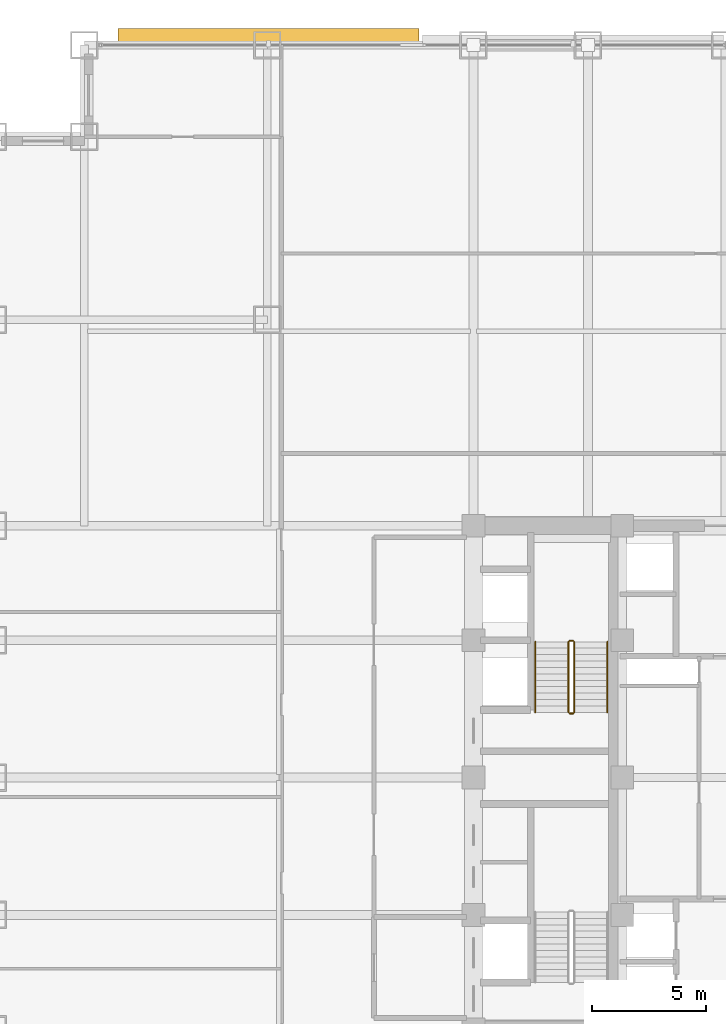
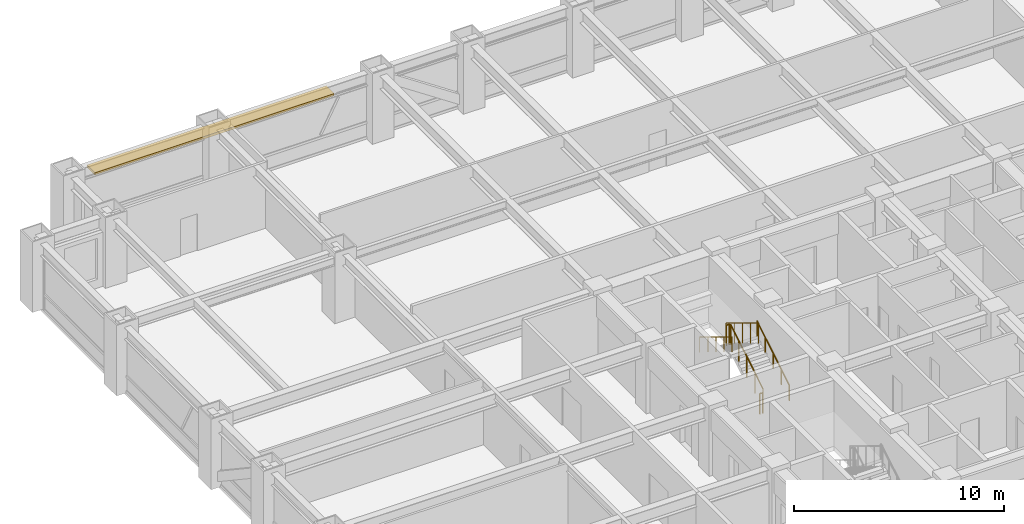
# One storey, part 31 of 32: 6 railings, 1 shading device.
"""IFC4 building model written with IfcOpenShell, lengths in metres."""

import ifcopenshell
import ifcopenshell.guid

model = None  # the IFC model being written
_history = None  # IfcOwnerHistory: only IFC2X3 demands one
_inside = {}  # id of a spatial element -> (the spatial element, [elements in it])
_under = {}  # id of a project, library or spatial element -> (it, [spatial elements below it])
_declared = {}  # id of a project -> (the project, [libraries it declares])
_typed = {}  # id of a type object -> (the type object, [elements of that type])
_made_of = {}  # id of a material, layer set ... -> (it, [elements and type objects made of it])


def new_model(schema):
    """Start an empty IFC model of exactly this schema.

    Asked for "IFC4X3", IfcOpenShell would pick the latest addendum, in which some entities
    have other attributes; the version numbers below select the first issue.
    IFC2X3 requires an IfcOwnerHistory on every rooted entity: one is made here for all.
    """
    global model, _history
    if schema == "IFC4X3":
        model = ifcopenshell.file(schema_version=(4, 3, 0, 0))
    else:
        model = ifcopenshell.file(schema=schema)
    _inside.clear()
    _under.clear()
    _declared.clear()
    _typed.clear()
    _made_of.clear()
    _history = None
    if model.schema == "IFC2X3":
        org = make("IfcOrganization", Name="unknown")
        user = make(
            "IfcPersonAndOrganization",
            ThePerson=make("IfcPerson", FamilyName="unknown"),
            TheOrganization=org,
        )
        app = make(
            "IfcApplication",
            ApplicationDeveloper=org,
            Version="unknown",
            ApplicationFullName="unknown",
            ApplicationIdentifier="unknown",
        )
        _history = make(
            "IfcOwnerHistory",
            OwningUser=user,
            OwningApplication=app,
            ChangeAction="ADDED",
            CreationDate=0,
        )
    return model


def make(cls, **values):
    """One entity of the class cls with the attributes given. An attribute that is None is left unset."""
    return model.create_entity(
        cls, **{name: value for name, value in values.items() if value is not None}
    )


def rooted(cls, **values):
    """An entity with a GlobalId (a new one), such as an element, a storey or a relation."""
    return make(cls, GlobalId=ifcopenshell.guid.new(), OwnerHistory=_history, **values)


def si_unit(unit_type, name, prefix=None):
    """IfcSIUnit, for example si_unit("LENGTHUNIT", "METRE", prefix="MILLI")."""
    return make("IfcSIUnit", UnitType=unit_type, Prefix=prefix, Name=name)


def assignment(units):
    """IfcUnitAssignment: the units of a project."""
    return None if units is None else make("IfcUnitAssignment", Units=units)


def point(xyz):
    """IfcCartesianPoint."""
    return None if xyz is None else make("IfcCartesianPoint", Coordinates=xyz)


def direction(xyz):
    """IfcDirection."""
    return None if xyz is None else make("IfcDirection", DirectionRatios=xyz)


def frame(location, z_axis=None, x_axis=None):
    """IfcAxis2Placement3D, a coordinate frame: its origin and axes. An axis left out is left unset."""
    return make(
        "IfcAxis2Placement3D",
        Location=point(location),
        Axis=direction(z_axis),
        RefDirection=direction(x_axis),
    )


def frame_2d(location, x_axis=None):
    """IfcAxis2Placement2D, a coordinate frame in the plane: its origin and x axis."""
    return make(
        "IfcAxis2Placement2D", Location=point(location), RefDirection=direction(x_axis)
    )


def origin():
    """The frame at (0, 0, 0) with its axes left unset."""
    return frame((0.0, 0.0, 0.0))


def origin_2d():
    """The frame at (0, 0) in the plane with its x axis left unset."""
    return frame_2d((0.0, 0.0))


def place(relative_to, where):
    """IfcLocalPlacement: puts the frame where relative to a parent placement (None: the world)."""
    return make(
        "IfcLocalPlacement", PlacementRelTo=relative_to, RelativePlacement=where
    )


def context(
    kind, dimensions, precision=None, world=None, true_north=None, identifier=None
):
    """IfcGeometricRepresentationContext, for example the 3D "Model" context."""
    return make(
        "IfcGeometricRepresentationContext",
        ContextIdentifier=identifier,
        ContextType=kind,
        CoordinateSpaceDimension=dimensions,
        Precision=precision,
        WorldCoordinateSystem=world,
        TrueNorth=true_north,
    )


def subcontext(parent, identifier, kind, view, scale=None):
    """IfcGeometricRepresentationSubContext, for example "Body" below "Model"."""
    return make(
        "IfcGeometricRepresentationSubContext",
        ContextIdentifier=identifier,
        ContextType=kind,
        ParentContext=parent,
        TargetScale=scale,
        TargetView=view,
    )


def project(units=None, contexts=None):
    """IfcProject with its units and contexts."""
    return rooted(
        "IfcProject",
        Name="project",
        RepresentationContexts=contexts,
        UnitsInContext=assignment(units),
    )


def spatial(cls, under=None, at=None, **own):
    """A site, building, storey or space (cls), placed at a placement, below another one or the project."""
    s = rooted(cls, ObjectPlacement=at, **own)
    if under is not None:
        _under.setdefault(under.id(), (under, []))[1].append(s)
    return s


def profile(cls, at=None, kind="AREA", **sizes):
    """A parametric profile (cls). Its sizes go by their IFC names, for example OverallWidth=200.0."""
    return make(cls, ProfileType=kind, Position=at, **sizes)


def rectangle(**sizes):
    """IfcRectangleProfileDef."""
    return profile("IfcRectangleProfileDef", **sizes)


def circle(**sizes):
    """IfcCircleProfileDef."""
    return profile("IfcCircleProfileDef", **sizes)


def extrude(swept, where, along, depth):
    """IfcExtrudedAreaSolid: the profile swept, set in the frame where, extruded along a direction by depth."""
    return make(
        "IfcExtrudedAreaSolid",
        SweptArea=swept,
        Position=where,
        ExtrudedDirection=direction(along),
        Depth=depth,
    )


def shape(context_of_items, identifier, shape_type, items):
    """IfcShapeRepresentation: the items that make up one representation, for example the "Body"."""
    return make(
        "IfcShapeRepresentation",
        ContextOfItems=context_of_items,
        RepresentationIdentifier=identifier,
        RepresentationType=shape_type,
        Items=items,
    )


def source(mapping_origin, context_of_items, identifier, shape_type, items):
    """IfcRepresentationMap: a shape defined once, which mapped items show again and again."""
    return make(
        "IfcRepresentationMap",
        MappingOrigin=mapping_origin,
        MappedRepresentation=shape(context_of_items, identifier, shape_type, items),
    )


def transform(
    local_origin,
    x_axis=None,
    y_axis=None,
    z_axis=None,
    scale=None,
    scale2=None,
    scale3=None,
    uniform=True,
):
    """IfcCartesianTransformationOperator3D, or its non-uniform kind. x_axis, y_axis, z_axis: its Axis1, 2, 3."""
    if uniform:
        return make(
            "IfcCartesianTransformationOperator3D",
            Axis1=direction(x_axis),
            Axis2=direction(y_axis),
            LocalOrigin=point(local_origin),
            Scale=scale,
            Axis3=direction(z_axis),
        )
    return make(
        "IfcCartesianTransformationOperator3DnonUniform",
        Axis1=direction(x_axis),
        Axis2=direction(y_axis),
        LocalOrigin=point(local_origin),
        Scale=scale,
        Axis3=direction(z_axis),
        Scale2=scale2,
        Scale3=scale3,
    )


def mapped(mapping_source, mapping_target):
    """IfcMappedItem: shows the shape of a source again, moved by a transform."""
    return make(
        "IfcMappedItem", MappingSource=mapping_source, MappingTarget=mapping_target
    )


def material(Name=None, Category=None):
    """IfcMaterial."""
    return make("IfcMaterial", Name=Name, Category=Category)


def layer(
    of_material, thickness, ventilated=None, Name=None, Category=None, Priority=None
):
    """IfcMaterialLayer: one layer of a wall or slab, of a material (None: an air gap)."""
    return make(
        "IfcMaterialLayer",
        Material=of_material,
        LayerThickness=thickness,
        IsVentilated=ventilated,
        Name=Name,
        Category=Category,
        Priority=Priority,
    )


def layer_set(layers, Name=None):
    """IfcMaterialLayerSet."""
    return make("IfcMaterialLayerSet", MaterialLayers=layers, LayerSetName=Name)


def made_of(thing, what):
    """Note that an element or type object is made of a material, layer set ...; save() writes the relation."""
    if what is not None:
        _made_of.setdefault(what.id(), (what, []))[1].append(thing)
    return thing


def type_object(cls, material=None, **own):
    """A type object (cls), such as IfcWallType, which elements share."""
    return made_of(rooted(cls, **own), material)


def element(
    cls,
    number,
    at=None,
    inside=None,
    cuts=None,
    type_object=None,
    material=None,
    context=None,
    identifier="Body",
    shape_type=None,
    held_by="IfcProductDefinitionShape",
    body=None,
    shapes=None,
    **own,
):
    """One element of the class cls, such as IfcWall. Its Tag is "e" and its number.

    at: its placement. inside: the storey or other place that contains it. cuts: it is an
    opening in that element (IfcRelVoidsElement). A single representation is given by context,
    identifier, shape_type and body (its items); several are given by shapes. held_by: the class
    of the entity that holds the representations. save() writes the other relations.
    """
    e = rooted(cls, Tag="e%d" % number, ObjectPlacement=at, **own)
    if body is not None:
        shapes = [shape(context, identifier, shape_type, body)]
    if shapes is not None:
        e.Representation = make(held_by, Representations=shapes)
    if inside is not None:
        _inside.setdefault(inside.id(), (inside, []))[1].append(e)
    if cuts is not None:
        rooted(
            "IfcRelVoidsElement", RelatingBuildingElement=cuts, RelatedOpeningElement=e
        )
    if type_object is not None:
        _typed.setdefault(type_object.id(), (type_object, []))[1].append(e)
    return made_of(e, material)


def aggregate(whole, parts):
    """IfcRelAggregates: a whole, such as a stair, and the parts it consists of."""
    return rooted("IfcRelAggregates", RelatingObject=whole, RelatedObjects=parts)


def save(model, path):
    """Write the relations noted so far, then the file.

    IfcRelAggregates (storeys below a building ...), IfcRelContainedInSpatialStructure (elements
    in a storey), IfcRelDefinesByType, IfcRelAssociatesMaterial and IfcRelDeclares: one each for
    every whole, place, type object, material and project.
    """
    for whole, parts in _under.values():
        aggregate(whole, parts)
    for where, things in _inside.values():
        rooted(
            "IfcRelContainedInSpatialStructure",
            RelatedElements=things,
            RelatingStructure=where,
        )
    for kind, things in _typed.values():
        rooted("IfcRelDefinesByType", RelatedObjects=things, RelatingType=kind)
    for what, things in _made_of.values():
        rooted("IfcRelAssociatesMaterial", RelatedObjects=things, RelatingMaterial=what)
    for by, libraries in _declared.values():
        rooted("IfcRelDeclares", RelatingContext=by, RelatedDefinitions=libraries)
    model.write(path)


model = new_model("IFC4")

# Units and contexts
model_context = context("Model", 3, precision=1e-05, world=origin(), true_north=direction((0.0, 1.0)))
body_context = subcontext(model_context, "Body", "Model", "MODEL_VIEW")
ifc_project = project(units=[si_unit("LENGTHUNIT", "METRE"), si_unit("AREAUNIT", "SQUARE_METRE"), si_unit("VOLUMEUNIT", "CUBIC_METRE"), si_unit("PLANEANGLEUNIT", "RADIAN"), si_unit("MASSUNIT", "GRAM", prefix="KILO")], contexts=[model_context])

# Site, building, storey
site_placement = place(None, origin())
site = spatial("IfcSite", under=ifc_project, at=site_placement, CompositionType="ELEMENT")
building_placement = place(site_placement, origin())
building = spatial("IfcBuilding", under=site, at=building_placement, Name="Khorayat Bourse Tower", CompositionType="ELEMENT")
storey_placement = place(building_placement, frame((0.0, 0.0, 91.39990234375)))
storey = spatial("IfcBuildingStorey", under=building, at=storey_placement, Name="L20", CompositionType="ELEMENT", Elevation=91.39990234375)

# Shading device
ifc_material_1 = material(Name="Precast concrete C45/55", Category="concrete")
ifc_layer = layer(ifc_material_1, 0.139892578125)
ifc_layer_set = layer_set([ifc_layer], Name="Precast concrete C45/55")
shading_device_type = type_object("IfcShadingDeviceType", Name="SHD-WAVE-TRAY-B", PredefinedType="USERDEFINED", material=ifc_layer_set)
shared_shape_1 = source(origin(), body_context, "Body", "SweptSolid", [
    extrude(rectangle(XDim=13.159912109375, YDim=0.751953125, at=origin_2d()), origin(), (0.0, 0.0, 1.0), 0.139892578125),
])
shading_device_placement = place(storey_placement, frame((-19.949951171875, 32.35595703125, 3.09033203125), z_axis=(0.0, 0.0, 1.0), x_axis=(1.0, 0.0, 0.0)))
element("IfcShadingDevice", 1, at=shading_device_placement, inside=storey, type_object=shading_device_type, Name="L20 Sinusoidal Wave Sunshade Tray N-1", ObjectType="SUNSHADE", PredefinedType="USERDEFINED", context=body_context, shape_type="MappedRepresentation", body=[
    mapped(shared_shape_1, transform((0.0, 0.0, 0.0), scale=1.0)),
])

# Railings
ifc_material_2 = material(Name="Powder-coated steel balustrade", Category="steel")
railing_type_1 = type_object("IfcRailingType", Name="RLG-GUARD-1200", PredefinedType="GUARDRAIL", material=ifc_material_2)
shared_shape_2 = source(origin(), body_context, "Body", "SweptSolid", [
    extrude(circle(Radius=0.02392578125, at=origin_2d()), frame((0.0, 0.0, 1.17578125), z_axis=(-1.0, 0.0, 0.0), x_axis=(0.0, -1.0, 0.0)), (0.0, 0.0, 1.0), 0.150146484375),
    extrude(circle(Radius=0.02099609375, at=origin_2d()), origin(), (0.0, 0.0, 1.0), 1.15185546875),
    extrude(circle(Radius=0.02099609375, at=origin_2d()), frame((-0.150146484375, 0.0, 0.0)), (0.0, 0.0, 1.0), 1.15185546875),
])
for number, where, name in (
    (2, (-6.64990234375, 5.97998046875, 2.050048828125), "L20 ST-2 stair guard 2"),
    (3, (-6.64990234375, 2.800048828125, 0.0), "L20 ST-2 stair guard 4"),
):
    element("IfcRailing", number, at=place(storey_placement, frame(where)), inside=storey, type_object=railing_type_1, Name=name, PredefinedType="GUARDRAIL", context=body_context, shape_type="MappedRepresentation", body=[
        mapped(shared_shape_2, transform((0.0, 0.0, 0.0), scale=1.0)),
    ])
shared_shape_3 = source(origin(), body_context, "Body", "SweptSolid", [
    extrude(circle(Radius=0.02392578125, at=origin_2d()), frame((0.0, 0.0, 1.17578125), z_axis=(0.0, 0.853647949592, 0.520850437417), x_axis=(-1.0, 0.0, 0.0)), (0.0, 0.0, 1.0), 3.60791015625),
    extrude(circle(Radius=0.02099609375, at=origin_2d()), origin(), (0.0, 0.0, 1.0), 1.15185546875),
    extrude(circle(Radius=0.02099609375, at=origin_2d()), frame((0.0, 0.77001953125, 0.4697265625)), (0.0, 0.0, 1.0), 1.15185546875),
    extrude(circle(Radius=0.02099609375, at=origin_2d()), frame((0.0, 1.5400390625, 0.939453125)), (0.0, 0.0, 1.0), 1.15185546875),
    extrude(circle(Radius=0.02099609375, at=origin_2d()), frame((0.0, 2.309814453125, 1.409423828125)), (0.0, 0.0, 1.0), 1.15185546875),
    extrude(circle(Radius=0.02099609375, at=origin_2d()), frame((0.0, 3.079833984375, 1.879150390625)), (0.0, 0.0, 1.0), 1.15185546875),
])
railing_1_placement = place(storey_placement, frame((-6.60009765625, 2.85009765625, 0.1708984375)))
element("IfcRailing", 4, at=railing_1_placement, inside=storey, type_object=railing_type_1, Name="L20 ST-2 stair guard 1", PredefinedType="GUARDRAIL", context=body_context, shape_type="MappedRepresentation", body=[
    mapped(shared_shape_3, transform((0.0, 0.0, 0.0), scale=1.0)),
])
shared_shape_4 = source(origin(), body_context, "Body", "SweptSolid", [
    extrude(circle(Radius=0.02392578125, at=origin_2d()), frame((0.0, 0.0, 1.17578125), z_axis=(0.0, -0.853647949592, 0.520850437417), x_axis=(1.0, 0.0, 0.0)), (0.0, 0.0, 1.0), 3.60791015625),
    extrude(circle(Radius=0.02099609375, at=origin_2d()), origin(), (0.0, 0.0, 1.0), 1.15185546875),
    extrude(circle(Radius=0.02099609375, at=origin_2d()), frame((0.0, -0.77001953125, 0.4697265625)), (0.0, 0.0, 1.0), 1.15185546875),
    extrude(circle(Radius=0.02099609375, at=origin_2d()), frame((0.0, -1.5400390625, 0.939453125)), (0.0, 0.0, 1.0), 1.15185546875),
    extrude(circle(Radius=0.02099609375, at=origin_2d()), frame((0.0, -2.309814453125, 1.409423828125)), (0.0, 0.0, 1.0), 1.15185546875),
    extrude(circle(Radius=0.02099609375, at=origin_2d()), frame((0.0, -3.079833984375, 1.879150390625)), (0.0, 0.0, 1.0), 1.15185546875),
])
railing_2_placement = place(storey_placement, frame((-6.85009765625, 5.929931640625, 2.220947265625)))
element("IfcRailing", 5, at=railing_2_placement, inside=storey, type_object=railing_type_1, Name="L20 ST-2 stair guard 3", PredefinedType="GUARDRAIL", context=body_context, shape_type="MappedRepresentation", body=[
    mapped(shared_shape_4, transform((0.0, 0.0, 0.0), scale=1.0)),
])
ifc_material_3 = material(Name="Brushed bronze stainless-steel handrail", Category="steel")
railing_type_2 = type_object("IfcRailingType", Name="RLG-HAND-900", PredefinedType="HANDRAIL", material=ifc_material_3)
shared_shape_5 = source(origin(), body_context, "Body", "SweptSolid", [
    extrude(circle(Radius=0.02392578125, at=origin_2d()), frame((0.0, 0.0, 0.8759765625), z_axis=(0.0, 0.853647949592, 0.520850437417), x_axis=(-1.0, 0.0, 0.0)), (0.0, 0.0, 1.0), 3.60791015625),
    extrude(circle(Radius=0.02099609375, at=origin_2d()), origin(), (0.0, 0.0, 1.0), 0.851806640625),
    extrude(circle(Radius=0.02099609375, at=origin_2d()), frame((0.0, 0.77001953125, 0.4697265625)), (0.0, 0.0, 1.0), 0.851806640625),
    extrude(circle(Radius=0.02099609375, at=origin_2d()), frame((0.0, 1.5400390625, 0.939453125)), (0.0, 0.0, 1.0), 0.851806640625),
    extrude(circle(Radius=0.02099609375, at=origin_2d()), frame((0.0, 2.309814453125, 1.409423828125)), (0.0, 0.0, 1.0), 0.851806640625),
    extrude(circle(Radius=0.02099609375, at=origin_2d()), frame((0.0, 3.079833984375, 1.879150390625)), (0.0, 0.0, 1.0), 0.851806640625),
])
railing_3_placement = place(storey_placement, frame((-5.14990234375, 2.85009765625, 0.1708984375)))
element("IfcRailing", 6, at=railing_3_placement, inside=storey, type_object=railing_type_2, Name="L20 ST-2 stair handrail 1", PredefinedType="HANDRAIL", context=body_context, shape_type="MappedRepresentation", body=[
    mapped(shared_shape_5, transform((0.0, 0.0, 0.0), scale=1.0)),
])
shared_shape_6 = source(origin(), body_context, "Body", "SweptSolid", [
    extrude(circle(Radius=0.02392578125, at=origin_2d()), frame((0.0, 0.0, 0.8759765625), z_axis=(0.0, -0.853647949592, 0.520850437417), x_axis=(1.0, 0.0, 0.0)), (0.0, 0.0, 1.0), 3.60791015625),
    extrude(circle(Radius=0.02099609375, at=origin_2d()), origin(), (0.0, 0.0, 1.0), 0.851806640625),
    extrude(circle(Radius=0.02099609375, at=origin_2d()), frame((0.0, -0.77001953125, 0.4697265625)), (0.0, 0.0, 1.0), 0.851806640625),
    extrude(circle(Radius=0.02099609375, at=origin_2d()), frame((0.0, -1.5400390625, 0.939453125)), (0.0, 0.0, 1.0), 0.851806640625),
    extrude(circle(Radius=0.02099609375, at=origin_2d()), frame((0.0, -2.309814453125, 1.409423828125)), (0.0, 0.0, 1.0), 0.851806640625),
    extrude(circle(Radius=0.02099609375, at=origin_2d()), frame((0.0, -3.079833984375, 1.879150390625)), (0.0, 0.0, 1.0), 0.851806640625),
])
railing_4_placement = place(storey_placement, frame((-8.300048828125, 5.929931640625, 2.220947265625)))
element("IfcRailing", 7, at=railing_4_placement, inside=storey, type_object=railing_type_2, Name="L20 ST-2 stair handrail 2", PredefinedType="HANDRAIL", context=body_context, shape_type="MappedRepresentation", body=[
    mapped(shared_shape_6, transform((0.0, 0.0, 0.0), scale=1.0)),
])

save(model, "model.ifc")
